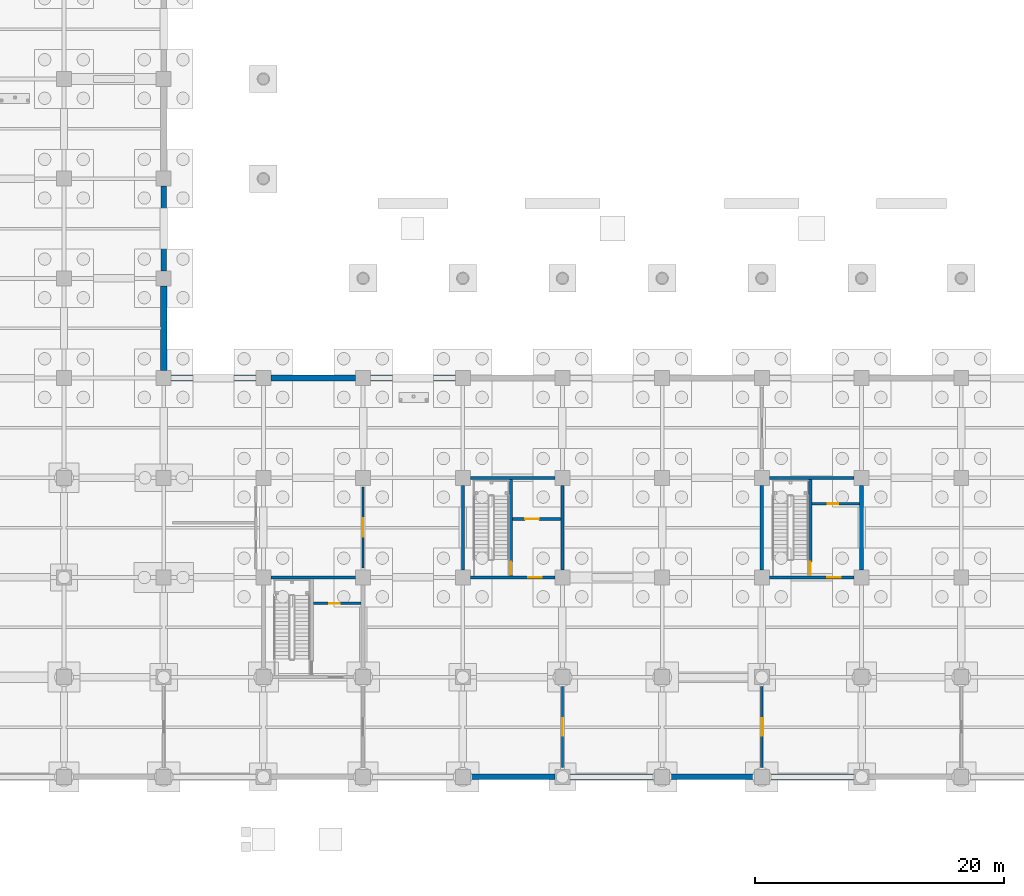
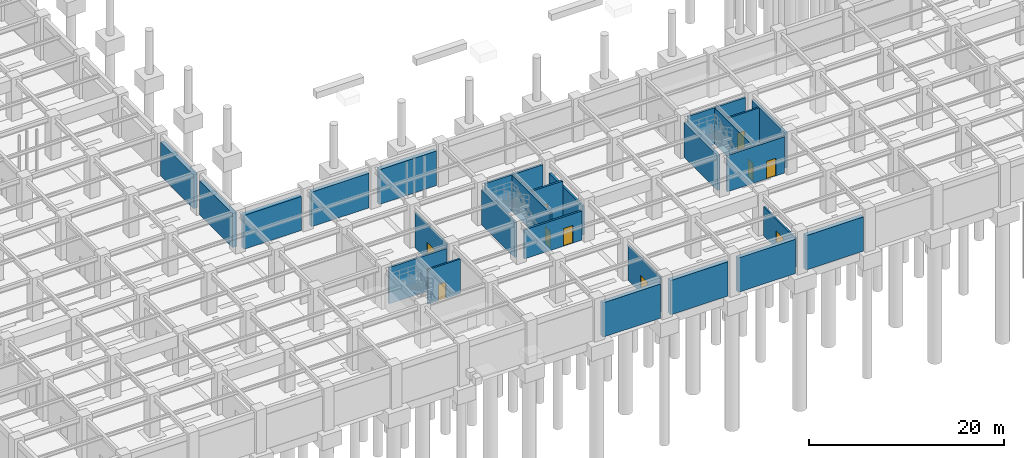
# One storey, part 69 of 97: 26 walls, 10 doors, 10 openings.
"""IFC4 building model written with IfcOpenShell, lengths in metres."""

from ifc_helpers import new_model, si_unit, direction, frame, frame_2d, origin, place, context, subcontext, project, spatial, rectangle, extrude, material, layer, layer_set, type_object, element, fill, save


model = new_model("IFC4")

# Units and contexts
model_context = context("Model", 3, precision=1e-05, world=origin(), true_north=direction((0.0, 1.0)))
body_context = subcontext(model_context, "Body", "Model", "MODEL_VIEW")
ifc_project = project(units=[si_unit("LENGTHUNIT", "METRE"), si_unit("AREAUNIT", "SQUARE_METRE"), si_unit("VOLUMEUNIT", "CUBIC_METRE"), si_unit("PLANEANGLEUNIT", "RADIAN"), si_unit("MASSUNIT", "GRAM", prefix="KILO")], contexts=[model_context])

# Site, building, storey
site_placement = place(None, origin())
site = spatial("IfcSite", under=ifc_project, at=site_placement, CompositionType="ELEMENT")
building_placement = place(site_placement, origin())
building = spatial("IfcBuilding", under=site, at=building_placement, Name="Haebicheon Civic Stadium", CompositionType="ELEMENT")
storey_placement = place(building_placement, frame((0.0, 0.0, -5.39990234375)))
storey = spatial("IfcBuildingStorey", under=building, at=storey_placement, Name="B1", CompositionType="ELEMENT", Elevation=-5.39990234375)

# Wall, opening, door
ifc_material_1 = material(Name="Concrete C40/50", Category="concrete")
ifc_layer_1 = layer(ifc_material_1, 0.239990234375, Name="Concrete C40/50")
ifc_layer_set_1 = layer_set([ifc_layer_1], Name="Concrete C40/50")
wall_type_1 = type_object("IfcWallType", Name="CW-SHR-240", PredefinedType="SHEAR", material=ifc_layer_set_1)
wall_1_placement = place(storey_placement, frame((88.60009765625, 16.0, 0.0), z_axis=(0.0, 0.0, 1.0), x_axis=(1.0, 0.0, 0.0)))
wall_1 = element("IfcWall", 1, at=wall_1_placement, inside=storey, type_object=wall_type_1, material=ifc_layer_set_1, Name="KC-06 B1 south core shear wall", PredefinedType="SHEAR", context=body_context, shape_type="SweptSolid", body=[
    extrude(rectangle(XDim=6.7998046875, YDim=0.239990234375, at=frame_2d((3.39990234375, 0.0))), origin(), (0.0, 0.0, 1.0), 3.639892578125),
])
opening_1_placement = place(wall_1_placement, frame((4.64990234375, 0.0, 0.0)))
opening_1 = element("IfcOpeningElement", 2, at=opening_1_placement, cuts=wall_1, Name="Opening D-B1-KC-06-LOB", PredefinedType="OPENING", context=body_context, shape_type="SweptSolid", body=[
    extrude(rectangle(XDim=1.10009765625, YDim=2.199951171875, at=frame_2d((0.550048828125, 1.10009765625))), frame((0.0, 0.1298828125, 0.0), z_axis=(0.0, -1.0, 0.0), x_axis=(1.0, 0.0, 0.0)), (0.0, 0.0, 1.0), 0.260009765625),
])
ifc_material_2 = material(Name="Galvanised painted steel SM355", Category="steel")
door_type_1 = type_object("IfcDoorType", Name="ID-FD-1100", OperationType="NOTDEFINED", PredefinedType="DOOR", material=ifc_material_2)
door_1_placement = place(opening_1_placement, origin())
door_1 = element("IfcDoor", 3, at=door_1_placement, inside=storey, type_object=door_type_1, material=ifc_material_2, Name="B1 KC-06 lobby fire door", OperationType="SINGLE_SWING_LEFT", OverallHeight=2.199951171875, OverallWidth=1.10009765625, PredefinedType="DOOR", context=body_context, shape_type="SweptSolid", body=[
    extrude(rectangle(XDim=1.10009765625, YDim=2.199951171875, at=frame_2d((0.550048828125, 1.10009765625))), frame((0.0, 0.02490234375, 0.0), z_axis=(0.0, -1.0, 0.0), x_axis=(1.0, 0.0, 0.0)), (0.0, 0.0, 1.0), 0.050048828125),
])
fill(opening_1, door_1)

# Walls
wall_2_placement = place(storey_placement, frame((88.60009765625, 24.0, 0.0), z_axis=(0.0, 0.0, 1.0), x_axis=(1.0, 0.0, 0.0)))
element("IfcWall", 4, at=wall_2_placement, inside=storey, type_object=wall_type_1, material=ifc_layer_set_1, Name="KC-06 B1 north core shear wall", PredefinedType="SHEAR", context=body_context, shape_type="SweptSolid", body=[
    extrude(rectangle(XDim=6.7998046875, YDim=0.239990234375, at=frame_2d((3.39990234375, 0.0))), origin(), (0.0, 0.0, 1.0), 4.58984375),
])
wall_3_placement = place(storey_placement, frame((88.0, 16.60009765625, 0.0), z_axis=(0.0, 0.0, 1.0), x_axis=(0.0, 1.0, 0.0)))
element("IfcWall", 5, at=wall_3_placement, inside=storey, type_object=wall_type_1, material=ifc_layer_set_1, Name="KC-06 B1 west core shear wall", PredefinedType="SHEAR", context=body_context, shape_type="SweptSolid", body=[
    extrude(rectangle(XDim=6.7998046875, YDim=0.239990234375, at=frame_2d((3.39990234375, 0.0))), origin(), (0.0, 0.0, 1.0), 4.389892578125),
])
wall_4_placement = place(storey_placement, frame((96.0, 16.60009765625, 0.0), z_axis=(0.0, 0.0, 1.0), x_axis=(0.0, 1.0, 0.0)))
element("IfcWall", 6, at=wall_4_placement, inside=storey, type_object=wall_type_1, material=ifc_layer_set_1, Name="KC-06 B1 east core shear wall", PredefinedType="SHEAR", context=body_context, shape_type="SweptSolid", body=[
    extrude(rectangle(XDim=6.7998046875, YDim=0.239990234375, at=frame_2d((3.39990234375, 0.0))), origin(), (0.0, 0.0, 1.0), 3.639892578125),
])

# Wall, opening, door
wall_5_placement = place(storey_placement, frame((91.8798828125, 16.1201171875, 0.0), z_axis=(0.0, 0.0, 1.0), x_axis=(0.0, 1.0, 0.0)))
wall_5 = element("IfcWall", 7, at=wall_5_placement, inside=storey, type_object=wall_type_1, material=ifc_layer_set_1, Name="KC-06 B1 stair-lobby dividing shear wall", PredefinedType="SHEAR", context=body_context, shape_type="SweptSolid", body=[
    extrude(rectangle(XDim=7.759765625, YDim=0.239990234375, at=frame_2d((3.8798828125, 0.0))), origin(), (0.0, 0.0, 1.0), 4.539794921875),
])
opening_2_placement = place(wall_5_placement, frame((0.080078125, 0.0, 0.0)))
opening_2 = element("IfcOpeningElement", 8, at=opening_2_placement, cuts=wall_5, Name="Opening D-B1-KC-06-STR", PredefinedType="OPENING", context=body_context, shape_type="SweptSolid", body=[
    extrude(rectangle(XDim=1.050048828125, YDim=2.14990234375, at=frame_2d((0.52490234375, 1.074951171875))), frame((0.0, 0.1298828125, 0.0), z_axis=(0.0, -1.0, 0.0), x_axis=(1.0, 0.0, 0.0)), (0.0, 0.0, 1.0), 0.260009765625),
])
ifc_material_3 = material(Name="Galvanised painted steel SM355", Category="steel")
door_type_2 = type_object("IfcDoorType", Name="ID-FD-1050", OperationType="NOTDEFINED", PredefinedType="DOOR", material=ifc_material_3)
door_2_placement = place(opening_2_placement, origin())
door_2 = element("IfcDoor", 9, at=door_2_placement, inside=storey, type_object=door_type_2, material=ifc_material_3, Name="B1 ST-06 stairwell escape door", OperationType="SINGLE_SWING_RIGHT", OverallHeight=2.14990234375, OverallWidth=1.050048828125, PredefinedType="DOOR", context=body_context, shape_type="SweptSolid", body=[
    extrude(rectangle(XDim=1.050048828125, YDim=2.14990234375, at=frame_2d((0.52490234375, 1.074951171875))), frame((0.0, 0.02490234375, 0.0), z_axis=(0.0, -1.0, 0.0), x_axis=(1.0, 0.0, 0.0)), (0.0, 0.0, 1.0), 0.050048828125),
])
fill(opening_2, door_2)

wall_6_placement = place(storey_placement, frame((92.0, 20.679931640625, 0.0), z_axis=(0.0, 0.0, 1.0), x_axis=(1.0, 0.0, 0.0)))
wall_6 = element("IfcWall", 10, at=wall_6_placement, inside=storey, type_object=wall_type_1, material=ifc_layer_set_1, Name="KC-06 B1 lift shaft front wall", PredefinedType="SHEAR", context=body_context, shape_type="SweptSolid", body=[
    extrude(rectangle(XDim=3.8798828125, YDim=0.239990234375, at=frame_2d((1.93994140625, 0.0))), origin(), (0.0, 0.0, 1.0), 4.389892578125),
])
opening_3_placement = place(wall_6_placement, frame((1.0, 0.0, 0.0)))
opening_3 = element("IfcOpeningElement", 11, at=opening_3_placement, cuts=wall_6, Name="Opening LD-05-B1", PredefinedType="OPENING", context=body_context, shape_type="SweptSolid", body=[
    extrude(rectangle(XDim=1.10009765625, YDim=2.14990234375, at=frame_2d((0.550048828125, 1.074951171875))), frame((0.0, 0.1298828125, 0.0), z_axis=(0.0, -1.0, 0.0), x_axis=(1.0, 0.0, 0.0)), (0.0, 0.0, 1.0), 0.260009765625),
])
ifc_material_4 = material(Name="Stainless steel 316", Category="steel")
door_type_3 = type_object("IfcDoorType", Name="ID-LD-1100", OperationType="NOTDEFINED", PredefinedType="DOOR", material=ifc_material_4)
door_3_placement = place(opening_3_placement, origin())
door_3 = element("IfcDoor", 12, at=door_3_placement, inside=storey, type_object=door_type_3, material=ifc_material_4, Name="LF-05 lift landing sliding door B1", OperationType="SLIDING_TO_LEFT", OverallHeight=2.14990234375, OverallWidth=1.10009765625, PredefinedType="DOOR", context=body_context, shape_type="SweptSolid", body=[
    extrude(rectangle(XDim=1.10009765625, YDim=2.14990234375, at=frame_2d((0.550048828125, 1.074951171875))), frame((0.0, 0.02490234375, 0.0), z_axis=(0.0, -1.0, 0.0), x_axis=(1.0, 0.0, 0.0)), (0.0, 0.0, 1.0), 0.050048828125),
])
fill(opening_3, door_3)

wall_7_placement = place(storey_placement, frame((112.60009765625, 16.0, 0.0), z_axis=(0.0, 0.0, 1.0), x_axis=(1.0, 0.0, 0.0)))
wall_7 = element("IfcWall", 13, at=wall_7_placement, inside=storey, type_object=wall_type_1, material=ifc_layer_set_1, Name="KC-07 B1 south core shear wall", PredefinedType="SHEAR", context=body_context, shape_type="SweptSolid", body=[
    extrude(rectangle(XDim=6.7998046875, YDim=0.239990234375, at=frame_2d((3.39990234375, 0.0))), origin(), (0.0, 0.0, 1.0), 4.539794921875),
])
opening_4_placement = place(wall_7_placement, frame((4.64990234375, 0.0, 0.0)))
opening_4 = element("IfcOpeningElement", 14, at=opening_4_placement, cuts=wall_7, Name="Opening D-B1-KC-07-LOB", PredefinedType="OPENING", context=body_context, shape_type="SweptSolid", body=[
    extrude(rectangle(XDim=1.10009765625, YDim=2.199951171875, at=frame_2d((0.550048828125, 1.10009765625))), frame((0.0, 0.1298828125, 0.0), z_axis=(0.0, -1.0, 0.0), x_axis=(1.0, 0.0, 0.0)), (0.0, 0.0, 1.0), 0.260009765625),
])
door_4_placement = place(opening_4_placement, origin())
door_4 = element("IfcDoor", 15, at=door_4_placement, inside=storey, type_object=door_type_1, material=ifc_material_2, Name="B1 KC-07 lobby fire door", OperationType="SINGLE_SWING_LEFT", OverallHeight=2.199951171875, OverallWidth=1.10009765625, PredefinedType="DOOR", context=body_context, shape_type="SweptSolid", body=[
    extrude(rectangle(XDim=1.10009765625, YDim=2.199951171875, at=frame_2d((0.550048828125, 1.10009765625))), frame((0.0, 0.02490234375, 0.0), z_axis=(0.0, -1.0, 0.0), x_axis=(1.0, 0.0, 0.0)), (0.0, 0.0, 1.0), 0.050048828125),
])
fill(opening_4, door_4)

# Walls
wall_8_placement = place(storey_placement, frame((112.60009765625, 24.0, 0.0), z_axis=(0.0, 0.0, 1.0), x_axis=(1.0, 0.0, 0.0)))
element("IfcWall", 16, at=wall_8_placement, inside=storey, type_object=wall_type_1, material=ifc_layer_set_1, Name="KC-07 B1 north core shear wall", PredefinedType="SHEAR", context=body_context, shape_type="SweptSolid", body=[
    extrude(rectangle(XDim=6.7998046875, YDim=0.239990234375, at=frame_2d((3.39990234375, 0.0))), origin(), (0.0, 0.0, 1.0), 4.58984375),
])
wall_9_placement = place(storey_placement, frame((72.60009765625, 16.0, 0.0), z_axis=(0.0, 0.0, 1.0), x_axis=(1.0, 0.0, 0.0)))
element("IfcWall", 17, at=wall_9_placement, inside=storey, type_object=wall_type_1, material=ifc_layer_set_1, Name="KC-16 B1 north core shear wall", PredefinedType="SHEAR", context=body_context, shape_type="SweptSolid", body=[
    extrude(rectangle(XDim=6.7998046875, YDim=0.239990234375, at=frame_2d((3.39990234375, 0.0))), origin(), (0.0, 0.0, 1.0), 4.539794921875),
])
ifc_material_5 = material(Name="Concrete C40/50", Category="concrete")
ifc_layer_2 = layer(ifc_material_5, 0.300048828125, Name="Concrete C40/50")
ifc_layer_set_2 = layer_set([ifc_layer_2], Name="Concrete C40/50")
wall_type_2 = type_object("IfcWallType", Name="CW-SHR-300", PredefinedType="SHEAR", material=ifc_layer_set_2)
for number, where, z_axis, x_axis, name in (
    (18, (112.0, 16.60009765625, 0.0), (0.0, 0.0, 1.0), (0.0, 1.0, 0.0), "KC-07 B1 west core shear wall"),
    (19, (120.0, 16.60009765625, 0.0), (0.0, 0.0, 1.0), (0.0, 1.0, 0.0), "KC-07 B1 east core shear wall"),
):
    element("IfcWall", number, at=place(storey_placement, frame(where, z_axis=z_axis, x_axis=x_axis)), inside=storey, type_object=wall_type_2, material=ifc_layer_set_2, Name=name, PredefinedType="SHEAR", context=body_context, shape_type="SweptSolid", body=[
        extrude(rectangle(XDim=6.7998046875, YDim=0.300048828125, at=frame_2d((3.39990234375, 0.0))), origin(), (0.0, 0.0, 1.0), 4.389892578125),
    ])

# Wall, opening, door
wall_10_placement = place(storey_placement, frame((115.8798828125, 16.1201171875, 0.0), z_axis=(0.0, 0.0, 1.0), x_axis=(0.0, 1.0, 0.0)))
wall_10 = element("IfcWall", 20, at=wall_10_placement, inside=storey, type_object=wall_type_2, material=ifc_layer_set_2, Name="KC-07 B1 stair-lobby dividing shear wall", PredefinedType="SHEAR", context=body_context, shape_type="SweptSolid", body=[
    extrude(rectangle(XDim=7.759765625, YDim=0.300048828125, at=frame_2d((3.8798828125, 0.0))), origin(), (0.0, 0.0, 1.0), 4.539794921875),
])
opening_5_placement = place(wall_10_placement, frame((0.080078125, 0.0, 0.0)))
opening_5 = element("IfcOpeningElement", 21, at=opening_5_placement, cuts=wall_10, Name="Opening D-B1-KC-07-STR", PredefinedType="OPENING", context=body_context, shape_type="SweptSolid", body=[
    extrude(rectangle(XDim=1.050048828125, YDim=2.14990234375, at=frame_2d((0.52490234375, 1.074951171875))), frame((0.0, 0.159912109375, 0.0), z_axis=(0.0, -1.0, 0.0), x_axis=(1.0, 0.0, 0.0)), (0.0, 0.0, 1.0), 0.320068359375),
])
door_5_placement = place(opening_5_placement, origin())
door_5 = element("IfcDoor", 22, at=door_5_placement, inside=storey, type_object=door_type_2, material=ifc_material_3, Name="B1 ST-07 stairwell escape door", OperationType="SINGLE_SWING_RIGHT", OverallHeight=2.14990234375, OverallWidth=1.050048828125, PredefinedType="DOOR", context=body_context, shape_type="SweptSolid", body=[
    extrude(rectangle(XDim=1.050048828125, YDim=2.14990234375, at=frame_2d((0.52490234375, 1.074951171875))), frame((0.0, 0.02490234375, 0.0), z_axis=(0.0, -1.0, 0.0), x_axis=(1.0, 0.0, 0.0)), (0.0, 0.0, 1.0), 0.050048828125),
])
fill(opening_5, door_5)

# Walls
ifc_material_6 = material(Name="Concrete C40/50", Category="concrete")
ifc_layer_3 = layer(ifc_material_6, 0.4599609375, Name="Concrete C40/50")
ifc_layer_set_3 = layer_set([ifc_layer_3], Name="Concrete C40/50")
wall_type_3 = type_object("IfcWallType", Name="EW-RET-460", PredefinedType="STANDARD", material=ifc_layer_set_3)
wall_11_placement = place(storey_placement, frame((64.0, 40.60009765625, 0.0), z_axis=(0.0, 0.0, 1.0), x_axis=(0.0, 1.0, 0.0)))
element("IfcWall", 23, at=wall_11_placement, inside=storey, type_object=wall_type_3, material=ifc_layer_set_3, Name="B1 retaining wall 08-05-E", PredefinedType="STANDARD", context=body_context, shape_type="SweptSolid", body=[
    extrude(rectangle(XDim=6.7998046875, YDim=0.4599609375, at=frame_2d((3.39990234375, 0.0))), origin(), (0.0, 0.0, 1.0), 4.239990234375),
])
wall_12_placement = place(storey_placement, frame((72.60009765625, 32.0, 0.0), z_axis=(0.0, 0.0, 1.0), x_axis=(1.0, 0.0, 0.0)))
element("IfcWall", 24, at=wall_12_placement, inside=storey, type_object=wall_type_3, material=ifc_layer_set_3, Name="B1 retaining wall 09-04-N", PredefinedType="STANDARD", context=body_context, shape_type="SweptSolid", body=[
    extrude(rectangle(XDim=6.7998046875, YDim=0.4599609375, at=frame_2d((3.39990234375, 0.0))), origin(), (0.0, 0.0, 1.0), 4.33984375),
])
for number, where, z_axis, x_axis, name in (
    (25, (88.60009765625, 0.0, 0.0), (0.0, 0.0, 1.0), (1.0, 0.0, 0.0), "B1 retaining wall 11-00-S"),
    (26, (104.60009765625, 0.0, 0.0), (0.0, 0.0, 1.0), (1.0, 0.0, 0.0), "B1 retaining wall 13-00-S"),
):
    element("IfcWall", number, at=place(storey_placement, frame(where, z_axis=z_axis, x_axis=x_axis)), inside=storey, type_object=wall_type_3, material=ifc_layer_set_3, Name=name, PredefinedType="STANDARD", context=body_context, shape_type="SweptSolid", body=[
        extrude(rectangle(XDim=6.7998046875, YDim=0.4599609375, at=frame_2d((3.39990234375, 0.0))), origin(), (0.0, 0.0, 1.0), 4.289794921875),
    ])
ifc_material_7 = material(Name="Concrete C40/50", Category="concrete")
ifc_layer_4 = layer(ifc_material_7, 0.5, Name="Concrete C40/50")
ifc_layer_set_4 = layer_set([ifc_layer_4], Name="Concrete C40/50")
wall_type_4 = type_object("IfcWallType", Name="EW-RET-500", PredefinedType="STANDARD", material=ifc_layer_set_4)
for number, where, z_axis, x_axis, name in (
    (27, (64.0, 32.60009765625, 0.0), (0.0, 0.0, 1.0), (0.0, 1.0, 0.0), "B1 retaining wall 08-04-E"),
    (28, (64.60009765625, 32.0, 0.0), (0.0, 0.0, 1.0), (1.0, 0.0, 0.0), "B1 retaining wall 08-04-N"),
):
    element("IfcWall", number, at=place(storey_placement, frame(where, z_axis=z_axis, x_axis=x_axis)), inside=storey, type_object=wall_type_4, material=ifc_layer_set_4, Name=name, PredefinedType="STANDARD", context=body_context, shape_type="SweptSolid", body=[
        extrude(rectangle(XDim=6.7998046875, YDim=0.5, at=frame_2d((3.39990234375, 0.0))), origin(), (0.0, 0.0, 1.0), 4.239990234375),
    ])
wall_13_placement = place(storey_placement, frame((80.60009765625, 32.0, 0.0), z_axis=(0.0, 0.0, 1.0), x_axis=(1.0, 0.0, 0.0)))
element("IfcWall", 29, at=wall_13_placement, inside=storey, type_object=wall_type_4, material=ifc_layer_set_4, Name="B1 retaining wall 10-04-N", PredefinedType="STANDARD", context=body_context, shape_type="SweptSolid", body=[
    extrude(rectangle(XDim=6.7998046875, YDim=0.5, at=frame_2d((3.39990234375, 0.0))), origin(), (0.0, 0.0, 1.0), 4.33984375),
])
for number, where, z_axis, x_axis, name in (
    (30, (96.60009765625, 0.0, 0.0), (0.0, 0.0, 1.0), (1.0, 0.0, 0.0), "B1 retaining wall 12-00-S"),
    (31, (112.60009765625, 0.0, 0.0), (0.0, 0.0, 1.0), (1.0, 0.0, 0.0), "B1 retaining wall 14-00-S"),
):
    element("IfcWall", number, at=place(storey_placement, frame(where, z_axis=z_axis, x_axis=x_axis)), inside=storey, type_object=wall_type_4, material=ifc_layer_set_4, Name=name, PredefinedType="STANDARD", context=body_context, shape_type="SweptSolid", body=[
        extrude(rectangle(XDim=6.7998046875, YDim=0.5, at=frame_2d((3.39990234375, 0.0))), origin(), (0.0, 0.0, 1.0), 4.289794921875),
    ])

# Wall, opening, door
ifc_material_8 = material(Name="Concrete C35/45", Category="concrete")
ifc_layer_5 = layer(ifc_material_8, 0.199951171875, Name="Concrete C35/45")
ifc_layer_set_5 = layer_set([ifc_layer_5], Name="Concrete C35/45")
wall_type_5 = type_object("IfcWallType", Name="IW-FIR-200", PredefinedType="PARTITIONING", material=ifc_layer_set_5)
wall_14_placement = place(storey_placement, frame((116.030029296875, 21.919921875, 0.0), z_axis=(0.0, 0.0, 1.0), x_axis=(1.0, 0.0, 0.0)))
wall_14 = element("IfcWall", 32, at=wall_14_placement, inside=storey, type_object=wall_type_5, material=ifc_layer_set_5, Name="KC-07 B1 service riser wall", PredefinedType="PARTITIONING", context=body_context, shape_type="SweptSolid", body=[
    extrude(rectangle(XDim=3.820068359375, YDim=0.199951171875, at=frame_2d((1.91015625, 0.0))), origin(), (0.0, 0.0, 1.0), 4.389892578125),
])
opening_6_placement = place(wall_14_placement, frame((1.25, 0.0, 0.0)))
opening_6 = element("IfcOpeningElement", 33, at=opening_6_placement, cuts=wall_14, Name="Opening D-B1-KC-07-RSR", PredefinedType="OPENING", context=body_context, shape_type="SweptSolid", body=[
    extrude(rectangle(XDim=0.85009765625, YDim=2.050048828125, at=frame_2d((0.425048828125, 1.02490234375))), frame((0.0, 0.10986328125, 0.0), z_axis=(0.0, -1.0, 0.0), x_axis=(1.0, 0.0, 0.0)), (0.0, 0.0, 1.0), 0.219970703125),
])
ifc_material_9 = material(Name="Galvanised painted steel SM355", Category="steel")
door_type_4 = type_object("IfcDoorType", Name="ID-RSR-0850", OperationType="NOTDEFINED", PredefinedType="TRAPDOOR", material=ifc_material_9)
door_6_placement = place(opening_6_placement, origin())
door_6 = element("IfcDoor", 34, at=door_6_placement, inside=storey, type_object=door_type_4, material=ifc_material_9, Name="B1 KC-07 riser access door", OperationType="SINGLE_SWING_LEFT", OverallHeight=2.050048828125, OverallWidth=0.85009765625, PredefinedType="TRAPDOOR", context=body_context, shape_type="SweptSolid", body=[
    extrude(rectangle(XDim=0.85009765625, YDim=2.050048828125, at=frame_2d((0.425048828125, 1.02490234375))), frame((0.0, 0.02490234375, 0.0), z_axis=(0.0, -1.0, 0.0), x_axis=(1.0, 0.0, 0.0)), (0.0, 0.0, 1.0), 0.050048828125),
])
fill(opening_6, door_6)

wall_15_placement = place(storey_placement, frame((76.030029296875, 13.919921875, 0.0), z_axis=(0.0, 0.0, 1.0), x_axis=(1.0, 0.0, 0.0)))
wall_15 = element("IfcWall", 35, at=wall_15_placement, inside=storey, type_object=wall_type_5, material=ifc_layer_set_5, Name="KC-16 B1 service riser wall", PredefinedType="PARTITIONING", context=body_context, shape_type="SweptSolid", body=[
    extrude(rectangle(XDim=3.820068359375, YDim=0.199951171875, at=frame_2d((1.91015625, 0.0))), origin(), (0.0, 0.0, 1.0), 4.33984375),
])
opening_7_placement = place(wall_15_placement, frame((1.25, 0.0, 0.0)))
opening_7 = element("IfcOpeningElement", 36, at=opening_7_placement, cuts=wall_15, Name="Opening D-B1-KC-16-RSR", PredefinedType="OPENING", context=body_context, shape_type="SweptSolid", body=[
    extrude(rectangle(XDim=0.85009765625, YDim=2.050048828125, at=frame_2d((0.425048828125, 1.02490234375))), frame((0.0, 0.10986328125, 0.0), z_axis=(0.0, -1.0, 0.0), x_axis=(1.0, 0.0, 0.0)), (0.0, 0.0, 1.0), 0.219970703125),
])
door_7_placement = place(opening_7_placement, origin())
door_7 = element("IfcDoor", 37, at=door_7_placement, inside=storey, type_object=door_type_4, material=ifc_material_9, Name="B1 KC-16 riser access door", OperationType="SINGLE_SWING_RIGHT", OverallHeight=2.050048828125, OverallWidth=0.85009765625, PredefinedType="TRAPDOOR", context=body_context, shape_type="SweptSolid", body=[
    extrude(rectangle(XDim=0.85009765625, YDim=2.050048828125, at=frame_2d((0.425048828125, 1.02490234375))), frame((0.0, 0.02490234375, 0.0), z_axis=(0.0, -1.0, 0.0), x_axis=(1.0, 0.0, 0.0)), (0.0, 0.0, 1.0), 0.050048828125),
])
fill(opening_7, door_7)

ifc_material_10 = material(Name="Concrete C35/45", Category="concrete")
ifc_layer_6 = layer(ifc_material_10, 0.179931640625, Name="Concrete C35/45")
ifc_layer_set_6 = layer_set([ifc_layer_6], Name="Concrete C35/45")
wall_type_6 = type_object("IfcWallType", Name="IW-PRT-180", PredefinedType="PARTITIONING", material=ifc_layer_set_6)
wall_16_placement = place(storey_placement, frame((80.0, 16.75, 0.0), z_axis=(0.0, 0.0, 1.0), x_axis=(0.0, 1.0, 0.0)))
wall_16 = element("IfcWall", 38, at=wall_16_placement, inside=storey, type_object=wall_type_6, material=ifc_layer_set_6, Name="B1 Central Catering Production Kitchen partition wall", PredefinedType="PARTITIONING", context=body_context, shape_type="SweptSolid", body=[
    extrude(rectangle(XDim=6.5, YDim=0.179931640625, at=frame_2d((3.25, 0.0))), origin(), (0.0, 0.0, 1.0), 4.389892578125),
])
opening_8_placement = place(wall_16_placement, frame((2.5, 0.0, 0.0)))
opening_8 = element("IfcOpeningElement", 39, at=opening_8_placement, cuts=wall_16, Name="Opening D-B1-032", PredefinedType="OPENING", context=body_context, shape_type="SweptSolid", body=[
    extrude(rectangle(XDim=1.5, YDim=2.199951171875, at=frame_2d((0.75, 1.10009765625))), frame((0.0, 0.099853515625, 0.0), z_axis=(0.0, -1.0, 0.0), x_axis=(1.0, 0.0, 0.0)), (0.0, 0.0, 1.0), 0.199951171875),
])
ifc_material_11 = material(Name="Galvanised painted steel SM355", Category="steel")
door_type_5 = type_object("IfcDoorType", Name="ID-FD-1500", OperationType="NOTDEFINED", PredefinedType="DOOR", material=ifc_material_11)
door_8_placement = place(opening_8_placement, origin())
door_8 = element("IfcDoor", 40, at=door_8_placement, inside=storey, type_object=door_type_5, material=ifc_material_11, Name="B1 Central Catering Production Kitchen entrance door D-B1-032", OperationType="SINGLE_SWING_RIGHT", OverallHeight=2.199951171875, OverallWidth=1.5, PredefinedType="DOOR", context=body_context, shape_type="SweptSolid", body=[
    extrude(rectangle(XDim=1.5, YDim=2.199951171875, at=frame_2d((0.75, 1.10009765625))), frame((0.0, 0.02490234375, 0.0), z_axis=(0.0, -1.0, 0.0), x_axis=(1.0, 0.0, 0.0)), (0.0, 0.0, 1.0), 0.050048828125),
])
fill(opening_8, door_8)

wall_17_placement = place(storey_placement, frame((96.0, 0.75, 0.0), z_axis=(0.0, 0.0, 1.0), x_axis=(0.0, 1.0, 0.0)))
wall_17 = element("IfcWall", 41, at=wall_17_placement, inside=storey, type_object=wall_type_6, material=ifc_layer_set_6, Name="B1 Greywater Filtration and Reuse Plant partition wall", PredefinedType="PARTITIONING", context=body_context, shape_type="SweptSolid", body=[
    extrude(rectangle(XDim=6.5, YDim=0.179931640625, at=frame_2d((3.25, 0.0))), origin(), (0.0, 0.0, 1.0), 4.33984375),
])
opening_9_placement = place(wall_17_placement, frame((2.550048828125, 0.0, 0.0)))
opening_9 = element("IfcOpeningElement", 42, at=opening_9_placement, cuts=wall_17, Name="Opening D-B1-109", PredefinedType="OPENING", context=body_context, shape_type="SweptSolid", body=[
    extrude(rectangle(XDim=1.39990234375, YDim=2.199951171875, at=frame_2d((0.699951171875, 1.10009765625))), frame((0.0, 0.099853515625, 0.0), z_axis=(0.0, -1.0, 0.0), x_axis=(1.0, 0.0, 0.0)), (0.0, 0.0, 1.0), 0.199951171875),
])
ifc_material_12 = material(Name="Galvanised painted steel SM355", Category="steel")
door_type_6 = type_object("IfcDoorType", Name="ID-PLT-1400", OperationType="NOTDEFINED", PredefinedType="DOOR", material=ifc_material_12)
door_9_placement = place(opening_9_placement, origin())
door_9 = element("IfcDoor", 43, at=door_9_placement, inside=storey, type_object=door_type_6, material=ifc_material_12, Name="B1 Greywater Filtration and Reuse Plant entrance door D-B1-109", OperationType="SINGLE_SWING_LEFT", OverallHeight=2.199951171875, OverallWidth=1.39990234375, PredefinedType="DOOR", context=body_context, shape_type="SweptSolid", body=[
    extrude(rectangle(XDim=1.39990234375, YDim=2.199951171875, at=frame_2d((0.699951171875, 1.10009765625))), frame((0.0, 0.02490234375, 0.0), z_axis=(0.0, -1.0, 0.0), x_axis=(1.0, 0.0, 0.0)), (0.0, 0.0, 1.0), 0.050048828125),
])
fill(opening_9, door_9)

wall_18_placement = place(storey_placement, frame((112.0, 0.75, 0.0), z_axis=(0.0, 0.0, 1.0), x_axis=(0.0, 1.0, 0.0)))
wall_18 = element("IfcWall", 44, at=wall_18_placement, inside=storey, type_object=wall_type_6, material=ifc_layer_set_6, Name="B1 Mechanical Chiller Plant partition wall", PredefinedType="PARTITIONING", context=body_context, shape_type="SweptSolid", body=[
    extrude(rectangle(XDim=6.5, YDim=0.179931640625, at=frame_2d((3.25, 0.0))), origin(), (0.0, 0.0, 1.0), 3.639892578125),
])
opening_10_placement = place(wall_18_placement, frame((2.550048828125, 0.0, 0.0)))
opening_10 = element("IfcOpeningElement", 45, at=opening_10_placement, cuts=wall_18, Name="Opening D-B1-110", PredefinedType="OPENING", context=body_context, shape_type="SweptSolid", body=[
    extrude(rectangle(XDim=1.39990234375, YDim=2.199951171875, at=frame_2d((0.699951171875, 1.10009765625))), frame((0.0, 0.099853515625, 0.0), z_axis=(0.0, -1.0, 0.0), x_axis=(1.0, 0.0, 0.0)), (0.0, 0.0, 1.0), 0.199951171875),
])
door_10_placement = place(opening_10_placement, origin())
door_10 = element("IfcDoor", 46, at=door_10_placement, inside=storey, type_object=door_type_6, material=ifc_material_12, Name="B1 Mechanical Chiller Plant entrance door D-B1-110", OperationType="SINGLE_SWING_RIGHT", OverallHeight=2.199951171875, OverallWidth=1.39990234375, PredefinedType="DOOR", context=body_context, shape_type="SweptSolid", body=[
    extrude(rectangle(XDim=1.39990234375, YDim=2.199951171875, at=frame_2d((0.699951171875, 1.10009765625))), frame((0.0, 0.02490234375, 0.0), z_axis=(0.0, -1.0, 0.0), x_axis=(1.0, 0.0, 0.0)), (0.0, 0.0, 1.0), 0.050048828125),
])
fill(opening_10, door_10)

save(model, "model.ifc")
